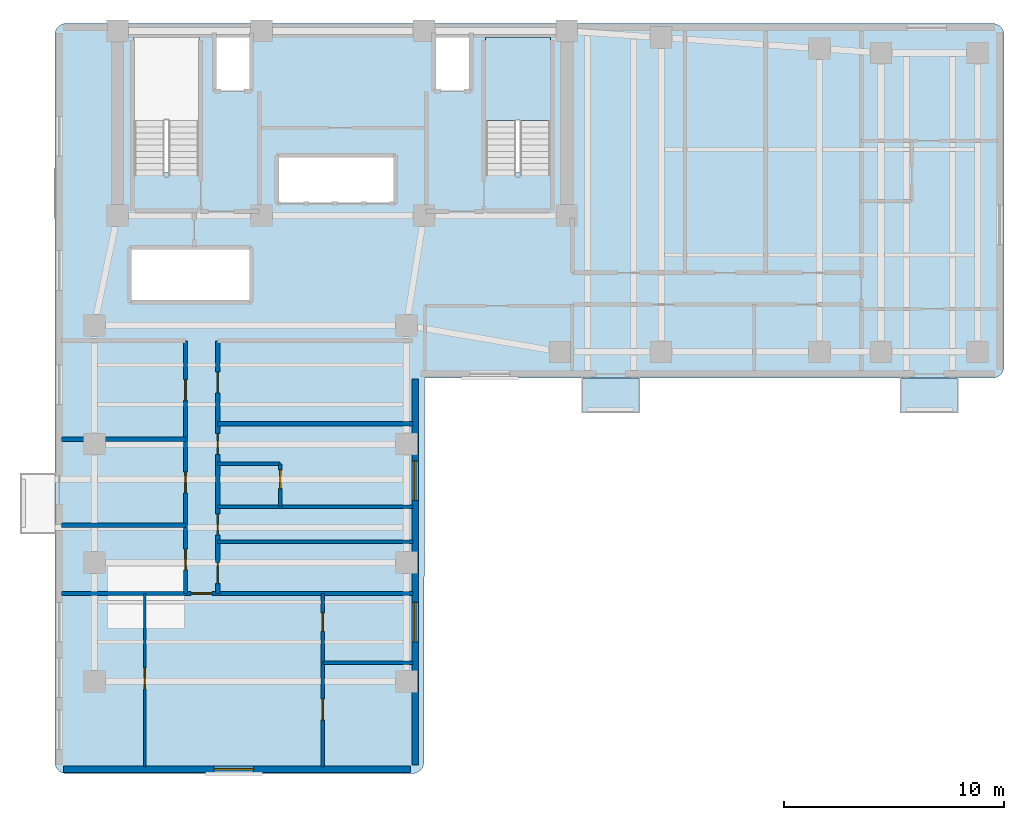
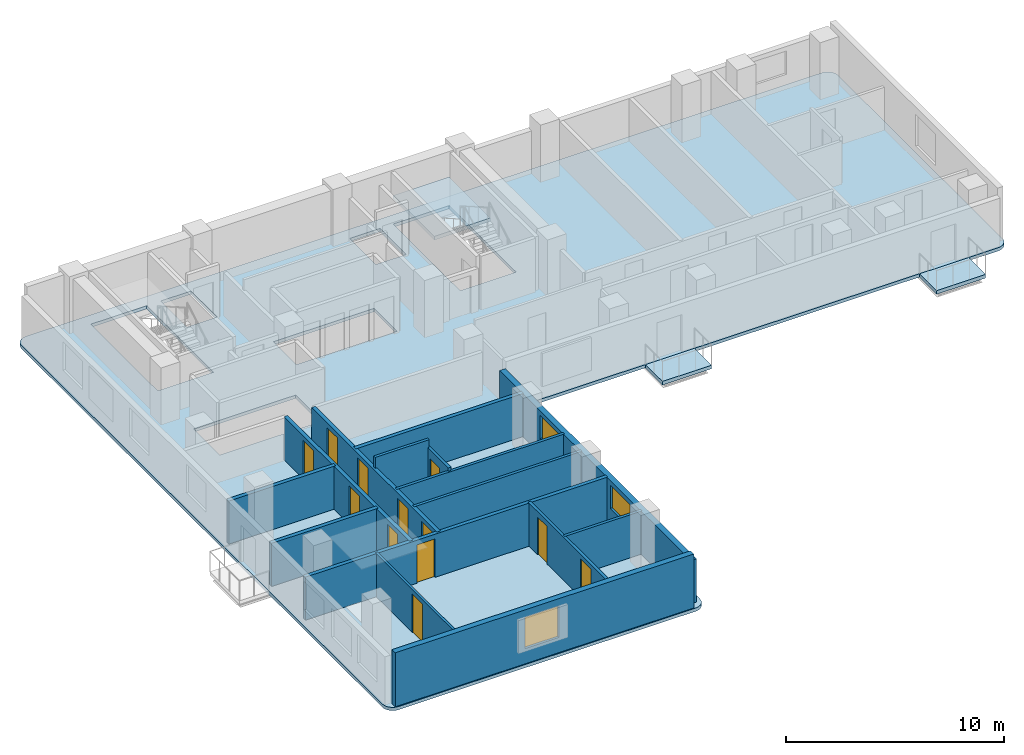
# One storey, part 2 of 7: 15 walls, 12 doors, 4 slabs, 3 windows, 15 openings, 1 element without a shape of its own.
"""IFC4 building model written with IfcOpenShell, lengths in metres."""

from ifc_helpers import new_model, si_unit, direction, frame, frame_2d, origin, place, context, subcontext, project, spatial, polyline, rectangle, outline, extrude, material, layer, layer_set, type_object, element, fill, aggregate, save


model = new_model("IFC4")

# Units and contexts
model_context = context("Model", 3, precision=1e-05, world=origin(), true_north=direction((0.0, 1.0)))
body_context = subcontext(model_context, "Body", "Model", "MODEL_VIEW")
ifc_project = project(units=[si_unit("LENGTHUNIT", "METRE"), si_unit("AREAUNIT", "SQUARE_METRE"), si_unit("VOLUMEUNIT", "CUBIC_METRE"), si_unit("PLANEANGLEUNIT", "RADIAN"), si_unit("MASSUNIT", "GRAM", prefix="KILO")], contexts=[model_context])

# Site, building, storey
site_placement = place(None, origin())
site = spatial("IfcSite", under=ifc_project, at=site_placement, CompositionType="ELEMENT")
building_placement = place(site_placement, origin())
building = spatial("IfcBuilding", under=site, at=building_placement, Name="Kuzgunbayir Cultural Tower", CompositionType="ELEMENT")
storey_placement = place(building_placement, frame((0.0, 0.0, 117.0)))
storey = spatial("IfcBuildingStorey", under=building, at=storey_placement, Name="L33", CompositionType="ELEMENT", Elevation=117.0)

# Slabs
ifc_material_1 = material(Name="Concrete C40/50", Category="concrete")
ifc_layer_1 = layer(ifc_material_1, 0.199951171875)
ifc_layer_set_1 = layer_set([ifc_layer_1], Name="Concrete C40/50")
slab_type_1 = type_object("IfcSlabType", Name="SLB-BAL-STONE", PredefinedType="FLOOR", material=ifc_layer_set_1)
slab_1_placement = place(storey_placement, frame((0.0, 0.0, -0.199951171875)))
element("IfcSlab", 1, at=slab_1_placement, inside=storey, type_object=slab_type_1, Name="L33 Projecting Limestone Balcony BAL-L33-WB1", PredefinedType="FLOOR", context=body_context, shape_type="SweptSolid", body=[
    extrude(outline(polyline([(27.60009765625, 24.840087890625), (30.199951171875, 24.840087890625), (30.199951171875, 26.39990234375), (27.60009765625, 26.39990234375), (27.60009765625, 24.840087890625)])), origin(), (0.0, 0.0, 1.0), 0.199951171875),
])
slab_2_placement = place(storey_placement, frame((0.0, 0.0, -0.199951171875)))
element("IfcSlab", 2, at=slab_2_placement, inside=storey, type_object=slab_type_1, Name="L33 Projecting Limestone Balcony BAL-L33-WB3", PredefinedType="FLOOR", context=body_context, shape_type="SweptSolid", body=[
    extrude(outline(polyline([(42.10009765625, 24.840087890625), (44.699951171875, 24.840087890625), (44.699951171875, 26.39990234375), (42.10009765625, 26.39990234375), (42.10009765625, 24.840087890625)])), origin(), (0.0, 0.0, 1.0), 0.199951171875),
])

# Stair, slab
stair_type = type_object("IfcStairType", Name="STR-EXIT-CORE", PredefinedType="HALF_TURN_STAIR", material=ifc_material_1)
stair_placement = place(storey_placement, origin())
stair = element("IfcStair", 3, at=stair_placement, inside=storey, type_object=stair_type, Name="L33 ST-2", PredefinedType="HALF_TURN_STAIR")
ifc_layer_2 = layer(ifc_material_1, 0.179931640625)
ifc_layer_set_2 = layer_set([ifc_layer_2], Name="Concrete C40/50")
slab_type_2 = type_object("IfcSlabType", Name="SLB-LANDING-180", PredefinedType="LANDING", material=ifc_layer_set_2)
slab_3_placement = place(storey_placement, frame((0.0, 0.0, 1.39990234375)))
slab_3 = element("IfcSlab", 4, at=slab_3_placement, type_object=slab_type_2, Name="ST-2 landing 1", PredefinedType="LANDING", context=body_context, shape_type="SweptSolid", body=[
    extrude(outline(polyline([(26.159912109375, 38.1201171875), (26.159912109375, 41.89990234375), (23.199951171875, 41.89990234375), (23.199951171875, 38.1201171875), (26.159912109375, 38.1201171875)])), origin(), (0.0, 0.0, 1.0), 0.2001953125),
])
aggregate(stair, [slab_3])

# Slab
ifc_layer_3 = layer(ifc_material_1, 0.179931640625)
ifc_layer_set_3 = layer_set([ifc_layer_3], Name="Concrete C40/50")
slab_type_3 = type_object("IfcSlabType", Name="SLB-TYP-180", PredefinedType="FLOOR", material=ifc_layer_set_3)
slab_4_placement = place(storey_placement, frame((0.0, 0.0, -0.179931640625)))
element("IfcSlab", 5, at=slab_4_placement, inside=storey, type_object=slab_type_3, Name="L33 Tower 1 Floor Slab T1-MAIN", PredefinedType="FLOOR", context=body_context, shape_type="SweptSolid", body=[
    extrude(outline(polyline([(20.39990234375, 8.949951171875), (20.389892578125, 8.840087890625), (20.360107421875, 8.739990234375), (20.31005859375, 8.639892578125), (20.239990234375, 8.56005859375), (20.159912109375, 8.489990234375), (20.06005859375, 8.43994140625), (19.9599609375, 8.409912109375), (19.85009765625, 8.39990234375), (4.14990234375, 8.39990234375), (4.0400390625, 8.409912109375), (3.93994140625, 8.43994140625), (3.840087890625, 8.489990234375), (3.760009765625, 8.56005859375), (3.68994140625, 8.639892578125), (3.639892578125, 8.739990234375), (3.610107421875, 8.840087890625), (3.60009765625, 8.949951171875), (3.60009765625, 42.0), (3.610107421875, 42.110107421875), (3.639892578125, 42.2099609375), (3.68994140625, 42.31005859375), (3.760009765625, 42.389892578125), (3.840087890625, 42.4599609375), (3.93994140625, 42.510009765625), (4.0400390625, 42.5400390625), (4.14990234375, 42.550048828125), (46.25, 42.550048828125), (46.360107421875, 42.5400390625), (46.4599609375, 42.510009765625), (46.56005859375, 42.4599609375), (46.639892578125, 42.389892578125), (46.7099609375, 42.31005859375), (46.760009765625, 42.2099609375), (46.7900390625, 42.110107421875), (46.800048828125, 42.0), (46.800048828125, 26.949951171875), (46.7900390625, 26.840087890625), (46.760009765625, 26.739990234375), (46.7099609375, 26.639892578125), (46.639892578125, 26.56005859375), (46.56005859375, 26.489990234375), (46.4599609375, 26.43994140625), (46.360107421875, 26.409912109375), (46.25, 26.39990234375), (20.429931640625, 26.39990234375), (20.39990234375, 8.949951171875)]), holes=[polyline([(7.199951171875, 35.760009765625), (7.199951171875, 41.89990234375), (10.159912109375, 41.89990234375), (10.159912109375, 35.760009765625), (7.199951171875, 35.760009765625)]), polyline([(23.199951171875, 35.760009765625), (23.199951171875, 41.89990234375), (26.159912109375, 41.89990234375), (26.159912109375, 35.760009765625), (23.199951171875, 35.760009765625)]), polyline([(13.75, 34.39990234375), (13.75, 36.5), (19.080078125, 36.5), (19.080078125, 34.39990234375), (13.75, 34.39990234375)]), polyline([(7.10009765625, 29.89990234375), (7.10009765625, 32.300048828125), (12.5, 32.300048828125), (12.5, 29.89990234375), (7.10009765625, 29.89990234375)]), polyline([(10.89990234375, 39.5), (10.89990234375, 41.89990234375), (12.5, 41.89990234375), (12.5, 39.5), (10.89990234375, 39.5)]), polyline([(20.89990234375, 39.5), (20.89990234375, 41.89990234375), (22.5, 41.89990234375), (22.5, 39.5), (20.89990234375, 39.5)])]), origin(), (0.0, 0.0, 1.0), 0.179931640625),
])

# Wall, opening, window
ifc_material_2 = material(Name="Anatolian Cream Limestone", Category="masonry")
ifc_layer_4 = layer(ifc_material_2, 0.300048828125)
ifc_layer_set_4 = layer_set([ifc_layer_4], Name="Anatolian Cream Limestone")
wall_type_1 = type_object("IfcWallType", Name="WAL-EXT-STONE-300", PredefinedType="STANDARD", material=ifc_layer_set_4)
wall_1_placement = place(storey_placement, frame((4.0, 8.60009765625, 0.0), z_axis=(0.0, 0.0, 1.0), x_axis=(1.0, 0.0, 0.0)))
wall_1 = element("IfcWall", 6, at=wall_1_placement, inside=storey, type_object=wall_type_1, Name="L33 Wing A South Limestone Wall", PredefinedType="STANDARD", context=body_context, shape_type="SweptSolid", body=[
    extrude(rectangle(XDim=15.800048828125, YDim=0.300048828125, at=frame_2d((7.89990234375, 0.0))), origin(), (0.0, 0.0, 1.0), 3.02001953125),
])
opening_1_placement = place(wall_1_placement, frame((6.85009765625, 0.0, 0.85009765625)))
opening_1 = element("IfcOpeningElement", 7, at=opening_1_placement, cuts=wall_1, Name="Opening WH-18", PredefinedType="OPENING", context=body_context, shape_type="SweptSolid", body=[
    extrude(rectangle(XDim=1.800048828125, YDim=1.75, at=frame_2d((0.89990234375, 0.875))), frame((0.0, 0.16015625, 0.0), z_axis=(0.0, -1.0, 0.0), x_axis=(1.0, 0.0, 0.0)), (0.0, 0.0, 1.0), 0.320068359375),
])
ifc_material_3 = material(Name="Solar-Control Triple Glazing", Category="glass")
window_type = type_object("IfcWindowType", Name="WIN-HOTEL-18", PartitioningType="SINGLE_PANEL", PredefinedType="WINDOW", material=ifc_material_3)
window_1_placement = place(opening_1_placement, origin())
window_1 = element("IfcWindow", 8, at=window_1_placement, inside=storey, type_object=window_type, Name="L33 WAS Facade Window 2", OverallHeight=1.75, OverallWidth=1.800048828125, PartitioningType="SINGLE_PANEL", PredefinedType="WINDOW", context=body_context, shape_type="SweptSolid", body=[
    extrude(rectangle(XDim=1.800048828125, YDim=1.75, at=frame_2d((0.89990234375, 0.875))), frame((0.0, 0.030029296875, 0.0), z_axis=(0.0, -1.0, 0.0), x_axis=(1.0, 0.0, 0.0)), (0.0, 0.0, 1.0), 0.06005859375),
])
fill(opening_1, window_1)

# Wall, openings, windows
wall_2_placement = place(storey_placement, frame((20.0, 8.800048828125, 0.0), z_axis=(0.0, 0.0, 1.0), x_axis=(0.0, 1.0, 0.0)))
wall_2 = element("IfcWall", 9, at=wall_2_placement, inside=storey, type_object=wall_type_1, Name="L33 Wing A East Limestone Wall", PredefinedType="STANDARD", context=body_context, shape_type="SweptSolid", body=[
    extrude(rectangle(XDim=17.550048828125, YDim=0.300048828125, at=frame_2d((8.77490234375, 0.0))), origin(), (0.0, 0.0, 1.0), 2.409912109375),
])
opening_2_placement = place(wall_2_placement, frame((12.0400390625, 0.0, 0.85009765625)))
opening_2 = element("IfcOpeningElement", 10, at=opening_2_placement, cuts=wall_2, Name="Opening WH-18", PredefinedType="OPENING", context=body_context, shape_type="SweptSolid", body=[
    extrude(rectangle(XDim=1.800048828125, YDim=1.31005859375, at=frame_2d((0.89990234375, 0.655029296875))), frame((0.0, 0.16015625, 0.0), z_axis=(0.0, -1.0, 0.0), x_axis=(1.0, 0.0, 0.0)), (0.0, 0.0, 1.0), 0.320068359375),
])
opening_3_placement = place(wall_2_placement, frame((5.60009765625, 0.0, 0.85009765625)))
opening_3 = element("IfcOpeningElement", 11, at=opening_3_placement, cuts=wall_2, Name="Opening WH-18", PredefinedType="OPENING", context=body_context, shape_type="SweptSolid", body=[
    extrude(rectangle(XDim=1.800048828125, YDim=1.31005859375, at=frame_2d((0.89990234375, 0.655029296875))), frame((0.0, 0.16015625, 0.0), z_axis=(0.0, -1.0, 0.0), x_axis=(1.0, 0.0, 0.0)), (0.0, 0.0, 1.0), 0.320068359375),
])
window_2_placement = place(opening_2_placement, origin())
window_2 = element("IfcWindow", 12, at=window_2_placement, inside=storey, type_object=window_type, Name="L33 WAE Facade Window 3", OverallHeight=1.31005859375, OverallWidth=1.800048828125, PartitioningType="SINGLE_PANEL", PredefinedType="WINDOW", context=body_context, shape_type="SweptSolid", body=[
    extrude(rectangle(XDim=1.800048828125, YDim=1.31005859375, at=frame_2d((0.89990234375, 0.655029296875))), frame((0.0, 0.030029296875, 0.0), z_axis=(0.0, -1.0, 0.0), x_axis=(1.0, 0.0, 0.0)), (0.0, 0.0, 1.0), 0.06005859375),
])
fill(opening_2, window_2)
window_3_placement = place(opening_3_placement, origin())
window_3 = element("IfcWindow", 13, at=window_3_placement, inside=storey, type_object=window_type, Name="L33 WAE Facade Window 11", OverallHeight=1.31005859375, OverallWidth=1.800048828125, PartitioningType="SINGLE_PANEL", PredefinedType="WINDOW", context=body_context, shape_type="SweptSolid", body=[
    extrude(rectangle(XDim=1.800048828125, YDim=1.31005859375, at=frame_2d((0.89990234375, 0.655029296875))), frame((0.0, 0.030029296875, 0.0), z_axis=(0.0, -1.0, 0.0), x_axis=(1.0, 0.0, 0.0)), (0.0, 0.0, 1.0), 0.06005859375),
])
fill(opening_3, window_3)

# Wall
ifc_material_4 = material(Name="Acoustic Double-Stud Drywall", Category="gypsum")
ifc_layer_5 = layer(ifc_material_4, 0.14990234375)
ifc_layer_set_5 = layer_set([ifc_layer_5], Name="Acoustic Double-Stud Drywall")
wall_type_2 = type_object("IfcWallType", Name="WAL-PART-ACOUSTIC-150", PredefinedType="PARTITIONING", material=ifc_layer_set_5)
wall_3_placement = place(storey_placement, frame((11.010009765625, 18.949951171875, 0.0), z_axis=(0.0, 0.0, 1.0), x_axis=(1.0, 0.0, 0.0)))
element("IfcWall", 14, at=wall_3_placement, inside=storey, type_object=wall_type_2, Name="L33 Housekeeping North Wall", PredefinedType="PARTITIONING", context=body_context, shape_type="SweptSolid", body=[
    extrude(rectangle(XDim=8.889892578125, YDim=0.14990234375, at=frame_2d((4.44482421875, 0.0))), origin(), (0.0, 0.0, 1.0), 2.409912109375),
])

# Wall, openings, doors
ifc_material_5 = material(Name="Aerated Concrete Blockwork", Category="masonry")
ifc_layer_6 = layer(ifc_material_5, 0.199951171875)
ifc_layer_set_6 = layer_set([ifc_layer_6], Name="Aerated Concrete Blockwork")
wall_type_3 = type_object("IfcWallType", Name="WAL-PART-FIRE-200", PredefinedType="PARTITIONING", material=ifc_layer_set_6)
wall_4_placement = place(storey_placement, frame((9.550048828125, 16.60009765625, 0.0), z_axis=(0.0, 0.0, 1.0), x_axis=(0.0, 1.0, 0.0)))
wall_4 = element("IfcWall", 15, at=wall_4_placement, inside=storey, type_object=wall_type_3, Name="L33 Wing A West Corridor Wall", PredefinedType="PARTITIONING", context=body_context, shape_type="SweptSolid", body=[
    extrude(rectangle(XDim=11.5, YDim=0.199951171875, at=frame_2d((5.75, 0.0))), origin(), (0.0, 0.0, 1.0), 2.409912109375),
])
opening_4_placement = place(wall_4_placement, frame((1.070068359375, 0.0, 0.0)))
opening_4 = element("IfcOpeningElement", 16, at=opening_4_placement, cuts=wall_4, Name="Opening DI-90", PredefinedType="OPENING", context=body_context, shape_type="SweptSolid", body=[
    extrude(rectangle(XDim=0.949951171875, YDim=2.14990234375, at=frame_2d((0.47509765625, 1.074951171875))), frame((0.0, 0.10986328125, 0.0), z_axis=(0.0, -1.0, 0.0), x_axis=(1.0, 0.0, 0.0)), (0.0, 0.0, 1.0), 0.219970703125),
])
opening_5_placement = place(wall_4_placement, frame((4.580078125, 0.0, 0.0)))
opening_5 = element("IfcOpeningElement", 17, at=opening_5_placement, cuts=wall_4, Name="Opening DI-90", PredefinedType="OPENING", context=body_context, shape_type="SweptSolid", body=[
    extrude(rectangle(XDim=0.949951171875, YDim=2.14990234375, at=frame_2d((0.47509765625, 1.074951171875))), frame((0.0, 0.10986328125, 0.0), z_axis=(0.0, -1.0, 0.0), x_axis=(1.0, 0.0, 0.0)), (0.0, 0.0, 1.0), 0.219970703125),
])
opening_6_placement = place(wall_4_placement, frame((8.780029296875, 0.0, 0.0)))
opening_6 = element("IfcOpeningElement", 18, at=opening_6_placement, cuts=wall_4, Name="Opening DI-90", PredefinedType="OPENING", context=body_context, shape_type="SweptSolid", body=[
    extrude(rectangle(XDim=0.949951171875, YDim=2.14990234375, at=frame_2d((0.47509765625, 1.074951171875))), frame((0.0, 0.10986328125, 0.0), z_axis=(0.0, -1.0, 0.0), x_axis=(1.0, 0.0, 0.0)), (0.0, 0.0, 1.0), 0.219970703125),
])
ifc_material_6 = material(Name="Veneered Oak Single Leaf", Category="wood")
door_type_1 = type_object("IfcDoorType", Name="DR-INT-90", OperationType="NOTDEFINED", PredefinedType="DOOR", material=ifc_material_6)
door_1_placement = place(opening_4_placement, origin())
door_1 = element("IfcDoor", 19, at=door_1_placement, inside=storey, type_object=door_type_1, Name="L33 Art Publication Salon 1 Door", OperationType="SINGLE_SWING_LEFT", OverallHeight=2.14990234375, OverallWidth=0.949951171875, PredefinedType="DOOR", context=body_context, shape_type="SweptSolid", body=[
    extrude(rectangle(XDim=0.949951171875, YDim=2.14990234375, at=frame_2d((0.47509765625, 1.074951171875))), frame((0.0, 0.02490234375, 0.0), z_axis=(0.0, -1.0, 0.0), x_axis=(1.0, 0.0, 0.0)), (0.0, 0.0, 1.0), 0.050048828125),
])
fill(opening_4, door_1)
door_2_placement = place(opening_5_placement, origin())
door_2 = element("IfcDoor", 20, at=door_2_placement, inside=storey, type_object=door_type_1, Name="L33 Art Publication Salon 2 Door", OperationType="SINGLE_SWING_RIGHT", OverallHeight=2.14990234375, OverallWidth=0.949951171875, PredefinedType="DOOR", context=body_context, shape_type="SweptSolid", body=[
    extrude(rectangle(XDim=0.949951171875, YDim=2.14990234375, at=frame_2d((0.47509765625, 1.074951171875))), frame((0.0, 0.02490234375, 0.0), z_axis=(0.0, -1.0, 0.0), x_axis=(1.0, 0.0, 0.0)), (0.0, 0.0, 1.0), 0.050048828125),
])
fill(opening_5, door_2)
door_3_placement = place(opening_6_placement, origin())
door_3 = element("IfcDoor", 21, at=door_3_placement, inside=storey, type_object=door_type_1, Name="L33 Art Publication Salon 3 Door", OperationType="SINGLE_SWING_LEFT", OverallHeight=2.14990234375, OverallWidth=0.949951171875, PredefinedType="DOOR", context=body_context, shape_type="SweptSolid", body=[
    extrude(rectangle(XDim=0.949951171875, YDim=2.14990234375, at=frame_2d((0.47509765625, 1.074951171875))), frame((0.0, 0.02490234375, 0.0), z_axis=(0.0, -1.0, 0.0), x_axis=(1.0, 0.0, 0.0)), (0.0, 0.0, 1.0), 0.050048828125),
])
fill(opening_6, door_3)

wall_5_placement = place(storey_placement, frame((11.010009765625, 16.60009765625, 0.0), z_axis=(0.0, 0.0, 1.0), x_axis=(0.0, 1.0, 0.0)))
wall_5 = element("IfcWall", 22, at=wall_5_placement, inside=storey, type_object=wall_type_3, Name="L33 Wing A East Corridor Wall", PredefinedType="PARTITIONING", context=body_context, shape_type="SweptSolid", body=[
    extrude(rectangle(XDim=11.5, YDim=0.199951171875, at=frame_2d((5.75, 0.0))), origin(), (0.0, 0.0, 1.0), 2.409912109375),
])
opening_7_placement = place(wall_5_placement, frame((0.449951171875, 0.0, 0.0)))
opening_7 = element("IfcOpeningElement", 23, at=opening_7_placement, cuts=wall_5, Name="Opening DI-90", PredefinedType="OPENING", context=body_context, shape_type="SweptSolid", body=[
    extrude(rectangle(XDim=0.949951171875, YDim=2.14990234375, at=frame_2d((0.47509765625, 1.074951171875))), frame((0.0, 0.10986328125, 0.0), z_axis=(0.0, -1.0, 0.0), x_axis=(1.0, 0.0, 0.0)), (0.0, 0.0, 1.0), 0.219970703125),
])
opening_8_placement = place(wall_5_placement, frame((2.669921875, 0.0, 0.0)))
opening_8 = element("IfcOpeningElement", 24, at=opening_8_placement, cuts=wall_5, Name="Opening DW-95", PredefinedType="OPENING", context=body_context, shape_type="SweptSolid", body=[
    extrude(rectangle(XDim=0.949951171875, YDim=2.10009765625, at=frame_2d((0.47509765625, 1.050048828125))), frame((0.0, 0.10986328125, 0.0), z_axis=(0.0, -1.0, 0.0), x_axis=(1.0, 0.0, 0.0)), (0.0, 0.0, 1.0), 0.219970703125),
])
opening_9_placement = place(wall_5_placement, frame((9.1298828125, 0.0, 0.0)))
opening_9 = element("IfcOpeningElement", 25, at=opening_9_placement, cuts=wall_5, Name="Opening DI-90", PredefinedType="OPENING", context=body_context, shape_type="SweptSolid", body=[
    extrude(rectangle(XDim=0.949951171875, YDim=2.14990234375, at=frame_2d((0.47509765625, 1.074951171875))), frame((0.0, 0.10986328125, 0.0), z_axis=(0.0, -1.0, 0.0), x_axis=(1.0, 0.0, 0.0)), (0.0, 0.0, 1.0), 0.219970703125),
])
opening_10_placement = place(wall_5_placement, frame((6.330078125, 0.0, 0.0)))
opening_10 = element("IfcOpeningElement", 26, at=opening_10_placement, cuts=wall_5, Name="Opening DR-APT-60", PredefinedType="OPENING", context=body_context, shape_type="SweptSolid", body=[
    extrude(rectangle(XDim=0.949951171875, YDim=2.14990234375, at=frame_2d((0.47509765625, 1.074951171875))), frame((0.0, 0.10986328125, 0.0), z_axis=(0.0, -1.0, 0.0), x_axis=(1.0, 0.0, 0.0)), (0.0, 0.0, 1.0), 0.219970703125),
])
ifc_material_7 = material(Name="Acoustic Fire Timber Leaf", Category="wood")
door_type_2 = type_object("IfcDoorType", Name="DR-APT-60", OperationType="NOTDEFINED", PredefinedType="DOOR", material=ifc_material_7)
door_4_placement = place(opening_10_placement, origin())
door_4 = element("IfcDoor", 27, at=door_4_placement, inside=storey, type_object=door_type_2, Name="L33 Guest Suite E1 Entrance", OperationType="SINGLE_SWING_RIGHT", OverallHeight=2.14990234375, OverallWidth=0.949951171875, PredefinedType="DOOR", context=body_context, shape_type="SweptSolid", body=[
    extrude(rectangle(XDim=0.949951171875, YDim=2.14990234375, at=frame_2d((0.47509765625, 1.074951171875))), frame((0.0, 0.02490234375, 0.0), z_axis=(0.0, -1.0, 0.0), x_axis=(1.0, 0.0, 0.0)), (0.0, 0.0, 1.0), 0.050048828125),
])
fill(opening_10, door_4)
door_5_placement = place(opening_7_placement, origin())
door_5 = element("IfcDoor", 28, at=door_5_placement, inside=storey, type_object=door_type_1, Name="L33 Housekeeping Room Door", OperationType="SINGLE_SWING_RIGHT", OverallHeight=2.14990234375, OverallWidth=0.949951171875, PredefinedType="DOOR", context=body_context, shape_type="SweptSolid", body=[
    extrude(rectangle(XDim=0.949951171875, YDim=2.14990234375, at=frame_2d((0.47509765625, 1.074951171875))), frame((0.0, 0.02490234375, 0.0), z_axis=(0.0, -1.0, 0.0), x_axis=(1.0, 0.0, 0.0)), (0.0, 0.0, 1.0), 0.050048828125),
])
fill(opening_7, door_5)
door_6_placement = place(opening_9_placement, origin())
door_6 = element("IfcDoor", 29, at=door_6_placement, inside=storey, type_object=door_type_1, Name="L33 Art Publication Salon E1 Door", OperationType="SINGLE_SWING_RIGHT", OverallHeight=2.14990234375, OverallWidth=0.949951171875, PredefinedType="DOOR", context=body_context, shape_type="SweptSolid", body=[
    extrude(rectangle(XDim=0.949951171875, YDim=2.14990234375, at=frame_2d((0.47509765625, 1.074951171875))), frame((0.0, 0.02490234375, 0.0), z_axis=(0.0, -1.0, 0.0), x_axis=(1.0, 0.0, 0.0)), (0.0, 0.0, 1.0), 0.050048828125),
])
fill(opening_9, door_6)
ifc_material_8 = material(Name="Laminate Moisture-Resistant Leaf", Category="wood")
door_type_3 = type_object("IfcDoorType", Name="DR-WET-95", OperationType="NOTDEFINED", PredefinedType="DOOR", material=ifc_material_8)
door_7_placement = place(opening_8_placement, origin())
door_7 = element("IfcDoor", 30, at=door_7_placement, inside=storey, type_object=door_type_3, Name="L33 Accessible WC Door", OperationType="SINGLE_SWING_LEFT", OverallHeight=2.10009765625, OverallWidth=0.949951171875, PredefinedType="DOOR", context=body_context, shape_type="SweptSolid", body=[
    extrude(rectangle(XDim=0.949951171875, YDim=2.10009765625, at=frame_2d((0.47509765625, 1.050048828125))), frame((0.0, 0.02490234375, 0.0), z_axis=(0.0, -1.0, 0.0), x_axis=(1.0, 0.0, 0.0)), (0.0, 0.0, 1.0), 0.050048828125),
])
fill(opening_8, door_7)

# Wall, opening, door
wall_6_placement = place(storey_placement, frame((3.89990234375, 16.60009765625, 0.0), z_axis=(0.0, 0.0, 1.0), x_axis=(1.0, 0.0, 0.0)))
wall_6 = element("IfcWall", 31, at=wall_6_placement, inside=storey, type_object=wall_type_3, Name="L33 South Cross Partition", PredefinedType="PARTITIONING", context=body_context, shape_type="SweptSolid", body=[
    extrude(rectangle(XDim=16.0, YDim=0.199951171875, at=frame_2d((8.0, 0.0))), origin(), (0.0, 0.0, 1.0), 2.409912109375),
])
opening_11_placement = place(wall_6_placement, frame((5.89990234375, 0.0, 0.0)))
opening_11 = element("IfcOpeningElement", 32, at=opening_11_placement, cuts=wall_6, Name="Opening DR-APT-60", PredefinedType="OPENING", context=body_context, shape_type="SweptSolid", body=[
    extrude(rectangle(XDim=0.949951171875, YDim=2.14990234375, at=frame_2d((0.47509765625, 1.074951171875))), frame((0.0, 0.10986328125, 0.0), z_axis=(0.0, -1.0, 0.0), x_axis=(1.0, 0.0, 0.0)), (0.0, 0.0, 1.0), 0.219970703125),
])
door_8_placement = place(opening_11_placement, origin())
door_8 = element("IfcDoor", 33, at=door_8_placement, inside=storey, type_object=door_type_2, Name="L33 Diplomatic Suite Entrance", OperationType="SINGLE_SWING_RIGHT", OverallHeight=2.14990234375, OverallWidth=0.949951171875, PredefinedType="DOOR", context=body_context, shape_type="SweptSolid", body=[
    extrude(rectangle(XDim=0.949951171875, YDim=2.14990234375, at=frame_2d((0.47509765625, 1.074951171875))), frame((0.0, 0.02490234375, 0.0), z_axis=(0.0, -1.0, 0.0), x_axis=(1.0, 0.0, 0.0)), (0.0, 0.0, 1.0), 0.050048828125),
])
fill(opening_11, door_8)

# Walls
for number, where, z_axis, x_axis, name in (
    (34, (3.89990234375, 19.7099609375, 0.0), (0.0, 0.0, 1.0), (1.0, 0.0, 0.0), "L33 West Party Wall 1"),
    (35, (3.89990234375, 23.6201171875, 0.0), (0.0, 0.0, 1.0), (1.0, 0.0, 0.0), "L33 West Party Wall 2"),
):
    element("IfcWall", number, at=place(storey_placement, frame(where, z_axis=z_axis, x_axis=x_axis)), inside=storey, type_object=wall_type_3, Name=name, PredefinedType="PARTITIONING", context=body_context, shape_type="SweptSolid", body=[
        extrude(rectangle(XDim=5.650146484375, YDim=0.199951171875, at=frame_2d((2.8251953125, 0.0))), origin(), (0.0, 0.0, 1.0), 2.409912109375),
    ])
wall_7_placement = place(storey_placement, frame((11.010009765625, 24.320068359375, 0.0), z_axis=(0.0, 0.0, 1.0), x_axis=(1.0, 0.0, 0.0)))
element("IfcWall", 36, at=wall_7_placement, inside=storey, type_object=wall_type_3, Name="L33 Suite E1 Sub-Party Wall", PredefinedType="PARTITIONING", context=body_context, shape_type="SweptSolid", body=[
    extrude(rectangle(XDim=8.889892578125, YDim=0.199951171875, at=frame_2d((4.44482421875, 0.0))), origin(), (0.0, 0.0, 1.0), 2.409912109375),
])

# Wall, opening, door
ifc_material_9 = material(Name="Framed Gypsum Partition", Category="gypsum")
ifc_layer_7 = layer(ifc_material_9, 0.1201171875)
ifc_layer_set_7 = layer_set([ifc_layer_7], Name="Framed Gypsum Partition")
wall_type_4 = type_object("IfcWallType", Name="WAL-PART-INT-120", PredefinedType="PARTITIONING", material=ifc_layer_set_7)
wall_8_placement = place(storey_placement, frame((7.699951171875, 8.699951171875, 0.0), z_axis=(0.0, 0.0, 1.0), x_axis=(0.0, 1.0, 0.0)))
wall_8 = element("IfcWall", 37, at=wall_8_placement, inside=storey, type_object=wall_type_4, Name="L33 Diplomatic Suite Bedroom Wall", PredefinedType="PARTITIONING", context=body_context, shape_type="SweptSolid", body=[
    extrude(rectangle(XDim=7.900146484375, YDim=0.1201171875, at=frame_2d((3.9501953125, 0.0))), origin(), (0.0, 0.0, 1.0), 2.409912109375),
])
opening_12_placement = place(wall_8_placement, frame((3.56005859375, 0.0, 0.0)))
opening_12 = element("IfcOpeningElement", 38, at=opening_12_placement, cuts=wall_8, Name="Opening DI-90", PredefinedType="OPENING", context=body_context, shape_type="SweptSolid", body=[
    extrude(rectangle(XDim=0.949951171875, YDim=2.14990234375, at=frame_2d((0.47509765625, 1.074951171875))), frame((0.0, 0.070068359375, 0.0), z_axis=(0.0, -1.0, 0.0), x_axis=(1.0, 0.0, 0.0)), (0.0, 0.0, 1.0), 0.14013671875),
])
door_9_placement = place(opening_12_placement, origin())
door_9 = element("IfcDoor", 39, at=door_9_placement, inside=storey, type_object=door_type_1, Name="L33 Diplomatic Bedroom Door", OperationType="SINGLE_SWING_LEFT", OverallHeight=2.14990234375, OverallWidth=0.949951171875, PredefinedType="DOOR", context=body_context, shape_type="SweptSolid", body=[
    extrude(rectangle(XDim=0.949951171875, YDim=2.14990234375, at=frame_2d((0.47509765625, 1.074951171875))), frame((0.0, 0.02490234375, 0.0), z_axis=(0.0, -1.0, 0.0), x_axis=(1.0, 0.0, 0.0)), (0.0, 0.0, 1.0), 0.050048828125),
])
fill(opening_12, door_9)

# Wall, openings, doors
ifc_material_10 = material(Name="Moisture-Resistant Tile Partition", Category="gypsum")
ifc_layer_8 = layer(ifc_material_10, 0.14990234375)
ifc_layer_set_8 = layer_set([ifc_layer_8], Name="Moisture-Resistant Tile Partition")
wall_type_5 = type_object("IfcWallType", Name="WAL-PART-WET-150", PredefinedType="PARTITIONING", material=ifc_layer_set_8)
wall_9_placement = place(storey_placement, frame((15.800048828125, 8.699951171875, 0.0), z_axis=(0.0, 0.0, 1.0), x_axis=(0.0, 1.0, 0.0)))
wall_9 = element("IfcWall", 40, at=wall_9_placement, inside=storey, type_object=wall_type_5, Name="L33 Diplomatic Suite Service Wall", PredefinedType="PARTITIONING", context=body_context, shape_type="SweptSolid", body=[
    extrude(rectangle(XDim=7.900146484375, YDim=0.14990234375, at=frame_2d((3.9501953125, 0.0))), origin(), (0.0, 0.0, 1.0), 2.409912109375),
])
opening_13_placement = place(wall_9_placement, frame((2.139892578125, 0.0, 0.0)))
opening_13 = element("IfcOpeningElement", 41, at=opening_13_placement, cuts=wall_9, Name="Opening DI-90", PredefinedType="OPENING", context=body_context, shape_type="SweptSolid", body=[
    extrude(rectangle(XDim=0.949951171875, YDim=2.14990234375, at=frame_2d((0.47509765625, 1.074951171875))), frame((0.0, 0.0849609375, 0.0), z_axis=(0.0, -1.0, 0.0), x_axis=(1.0, 0.0, 0.0)), (0.0, 0.0, 1.0), 0.169921875),
])
opening_14_placement = place(wall_9_placement, frame((6.169921875, 0.0, 0.0)))
opening_14 = element("IfcOpeningElement", 42, at=opening_14_placement, cuts=wall_9, Name="Opening DW-85", PredefinedType="OPENING", context=body_context, shape_type="SweptSolid", body=[
    extrude(rectangle(XDim=0.85009765625, YDim=2.10009765625, at=frame_2d((0.425048828125, 1.050048828125))), frame((0.0, 0.0849609375, 0.0), z_axis=(0.0, -1.0, 0.0), x_axis=(1.0, 0.0, 0.0)), (0.0, 0.0, 1.0), 0.169921875),
])
door_10_placement = place(opening_13_placement, origin())
door_10 = element("IfcDoor", 43, at=door_10_placement, inside=storey, type_object=door_type_1, Name="L33 Diplomatic Kitchen Door", OperationType="SINGLE_SWING_RIGHT", OverallHeight=2.14990234375, OverallWidth=0.949951171875, PredefinedType="DOOR", context=body_context, shape_type="SweptSolid", body=[
    extrude(rectangle(XDim=0.949951171875, YDim=2.14990234375, at=frame_2d((0.47509765625, 1.074951171875))), frame((0.0, 0.02490234375, 0.0), z_axis=(0.0, -1.0, 0.0), x_axis=(1.0, 0.0, 0.0)), (0.0, 0.0, 1.0), 0.050048828125),
])
fill(opening_13, door_10)
door_type_4 = type_object("IfcDoorType", Name="DR-WET-85", OperationType="NOTDEFINED", PredefinedType="DOOR", material=ifc_material_8)
door_11_placement = place(opening_14_placement, origin())
door_11 = element("IfcDoor", 44, at=door_11_placement, inside=storey, type_object=door_type_4, Name="L33 Diplomatic Bathroom Door", OperationType="SINGLE_SWING_LEFT", OverallHeight=2.10009765625, OverallWidth=0.85009765625, PredefinedType="DOOR", context=body_context, shape_type="SweptSolid", body=[
    extrude(rectangle(XDim=0.85009765625, YDim=2.10009765625, at=frame_2d((0.425048828125, 1.050048828125))), frame((0.0, 0.02490234375, 0.0), z_axis=(0.0, -1.0, 0.0), x_axis=(1.0, 0.0, 0.0)), (0.0, 0.0, 1.0), 0.050048828125),
])
fill(opening_14, door_11)

# Walls
wall_10_placement = place(storey_placement, frame((15.800048828125, 13.449951171875, 0.0), z_axis=(0.0, 0.0, 1.0), x_axis=(1.0, 0.0, 0.0)))
element("IfcWall", 45, at=wall_10_placement, inside=storey, type_object=wall_type_5, Name="L33 Diplomatic Suite Bath Kitchen Divider", PredefinedType="PARTITIONING", context=body_context, shape_type="SweptSolid", body=[
    extrude(rectangle(XDim=4.099853515625, YDim=0.14990234375, at=frame_2d((2.0498046875, 0.0))), origin(), (0.0, 0.0, 1.0), 2.409912109375),
])
wall_11_placement = place(storey_placement, frame((11.010009765625, 20.550048828125, 0.0), z_axis=(0.0, 0.0, 1.0), x_axis=(1.0, 0.0, 0.0)))
element("IfcWall", 46, at=wall_11_placement, inside=storey, type_object=wall_type_5, Name="L33 Accessible WC North Wall", PredefinedType="PARTITIONING", context=body_context, shape_type="SweptSolid", body=[
    extrude(rectangle(XDim=8.889892578125, YDim=0.14990234375, at=frame_2d((4.44482421875, 0.0))), origin(), (0.0, 0.0, 1.0), 2.409912109375),
])
wall_12_placement = place(storey_placement, frame((11.010009765625, 22.5, 0.0), z_axis=(0.0, 0.0, 1.0), x_axis=(1.0, 0.0, 0.0)))
element("IfcWall", 47, at=wall_12_placement, inside=storey, type_object=wall_type_5, Name="L33 Suite E1 En-Suite North Wall", PredefinedType="PARTITIONING", context=body_context, shape_type="SweptSolid", body=[
    extrude(rectangle(XDim=2.85009765625, YDim=0.14990234375, at=frame_2d((1.425048828125, 0.0))), origin(), (0.0, 0.0, 1.0), 3.02001953125),
])

# Wall, opening, door
wall_13_placement = place(storey_placement, frame((13.860107421875, 20.550048828125, 0.0), z_axis=(0.0, 0.0, 1.0), x_axis=(0.0, 1.0, 0.0)))
wall_13 = element("IfcWall", 48, at=wall_13_placement, inside=storey, type_object=wall_type_5, Name="L33 Suite E1 En-Suite East Wall", PredefinedType="PARTITIONING", context=body_context, shape_type="SweptSolid", body=[
    extrude(rectangle(XDim=1.949951171875, YDim=0.14990234375, at=frame_2d((0.97509765625, 0.0))), origin(), (0.0, 0.0, 1.0), 2.60009765625),
])
opening_15_placement = place(wall_13_placement, frame((0.820068359375, 0.0, 0.0)))
opening_15 = element("IfcOpeningElement", 49, at=opening_15_placement, cuts=wall_13, Name="Opening DW-85", PredefinedType="OPENING", context=body_context, shape_type="SweptSolid", body=[
    extrude(rectangle(XDim=0.85009765625, YDim=2.10009765625, at=frame_2d((0.425048828125, 1.050048828125))), frame((0.0, 0.0849609375, 0.0), z_axis=(0.0, -1.0, 0.0), x_axis=(1.0, 0.0, 0.0)), (0.0, 0.0, 1.0), 0.169921875),
])
door_12_placement = place(opening_15_placement, origin())
door_12 = element("IfcDoor", 50, at=door_12_placement, inside=storey, type_object=door_type_4, Name="L33 Suite E1 En-Suite Door", OperationType="SINGLE_SWING_LEFT", OverallHeight=2.10009765625, OverallWidth=0.85009765625, PredefinedType="DOOR", context=body_context, shape_type="SweptSolid", body=[
    extrude(rectangle(XDim=0.85009765625, YDim=2.10009765625, at=frame_2d((0.425048828125, 1.050048828125))), frame((0.0, 0.02490234375, 0.0), z_axis=(0.0, -1.0, 0.0), x_axis=(1.0, 0.0, 0.0)), (0.0, 0.0, 1.0), 0.050048828125),
])
fill(opening_15, door_12)

save(model, "model.ifc")
